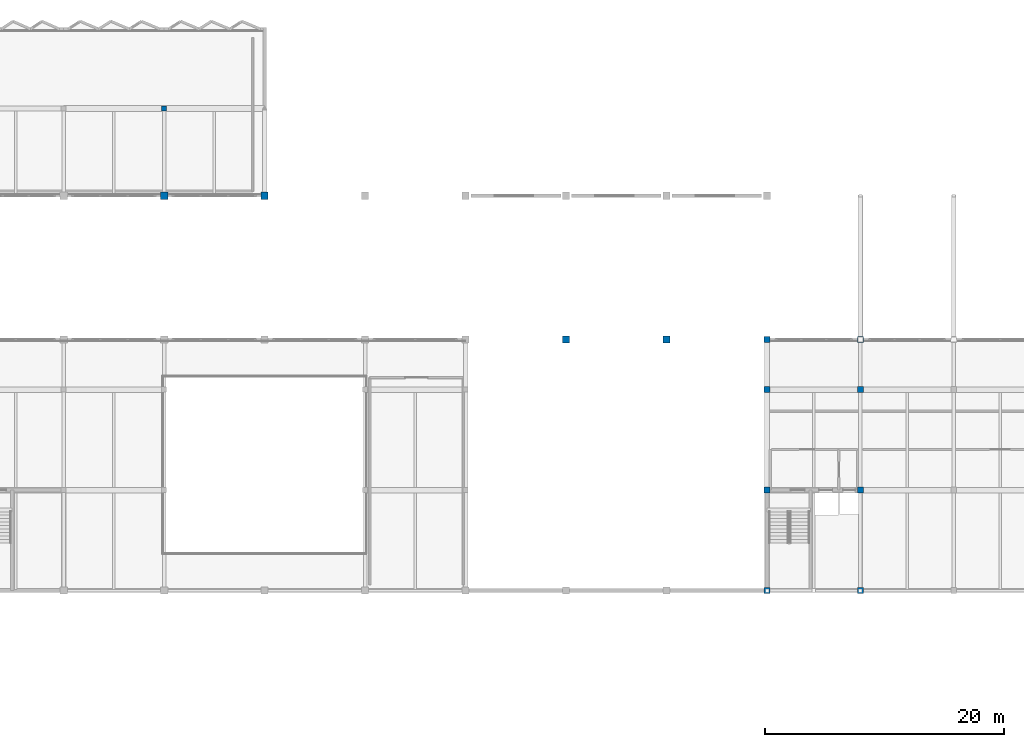
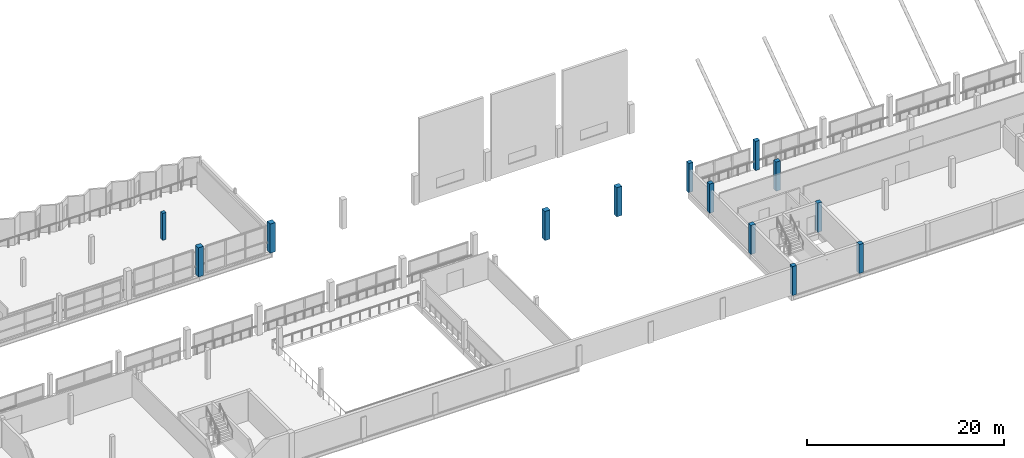
# One storey, part 2 of 51: 13 columns.
"""IFC4 building model written with IfcOpenShell, lengths in metres."""

from ifc_helpers import new_model, si_unit, direction, frame, origin, origin_2d, place, context, subcontext, project, spatial, rectangle, extrude, material, material_profile, profile_set, type_object, element, save


model = new_model("IFC4")

# Units and contexts
model_context = context("Model", 3, precision=1e-05, world=origin(), true_north=direction((0.0, 1.0)))
body_context = subcontext(model_context, "Body", "Model", "MODEL_VIEW")
ifc_project = project(units=[si_unit("LENGTHUNIT", "METRE"), si_unit("AREAUNIT", "SQUARE_METRE"), si_unit("VOLUMEUNIT", "CUBIC_METRE"), si_unit("PLANEANGLEUNIT", "RADIAN"), si_unit("MASSUNIT", "GRAM", prefix="KILO")], contexts=[model_context])

# Site, building, storey
site_placement = place(None, origin())
site = spatial("IfcSite", under=ifc_project, at=site_placement, CompositionType="ELEMENT")
building_placement = place(site_placement, origin())
building = spatial("IfcBuilding", under=site, at=building_placement, Name="Vharandega Faculty of Natural Sciences", CompositionType="ELEMENT")
storey_placement = place(building_placement, frame((0.0, 0.0, 14.39990234375)))
storey = spatial("IfcBuildingStorey", under=building, at=storey_placement, Name="L03", CompositionType="ELEMENT", Elevation=14.39990234375)

# Columns
ifc_material_1 = material(Name="Glulam GL32h", Category="wood")
ifc_material_profile_1 = material_profile(ifc_material_1, rectangle(XDim=0.419921875, YDim=0.419921875, at=origin_2d()), Name="GL32h 420x420")
ifc_profile_set_1 = profile_set([ifc_material_profile_1], Name="Glulam GL32h")
column_type_1 = type_object("IfcColumnType", Name="Glulam Column 420x420", PredefinedType="COLUMN", material=ifc_profile_set_1)
column_placement = place(storey_placement, frame((64.39990234375, 104.300048828125, 0.0), z_axis=(0.0, 0.0, 1.0), x_axis=(1.0, 0.0, 0.0)))
element("IfcColumn", 1, at=column_placement, inside=storey, type_object=column_type_1, Name="Column 9/P L03", PredefinedType="COLUMN", context=body_context, shape_type="SweptSolid", body=[
    extrude(rectangle(XDim=0.419921875, YDim=0.419921875, at=origin_2d()), origin(), (0.0, 0.0, 1.0), 3.340087890625),
])
ifc_material_2 = material(Name="Glulam GL32h", Category="wood")
ifc_material_profile_2 = material_profile(ifc_material_2, rectangle(XDim=0.5, YDim=0.5, at=origin_2d()), Name="GL32h 500x500")
ifc_profile_set_2 = profile_set([ifc_material_profile_2], Name="Glulam GL32h")
column_type_2 = type_object("IfcColumnType", Name="Glulam Column 500x500", PredefinedType="COLUMN", material=ifc_profile_set_2)
for number, where, z_axis, x_axis, name in (
    (2, (114.800048828125, 64.0, 0.0), (0.0, 0.0, 1.0), (1.0, 0.0, 0.0), "Column 15/J L03"),
    (3, (114.800048828125, 72.39990234375, 0.0), (0.0, 0.0, 1.0), (1.0, 0.0, 0.0), "Column 15/K L03"),
    (4, (114.800048828125, 80.800048828125, 0.0), (0.0, 0.0, 1.0), (1.0, 0.0, 0.0), "Column 15/L L03"),
    (5, (114.800048828125, 85.0, 0.0), (0.0, 0.0, 1.0), (1.0, 0.0, 0.0), "Column 15/M L03"),
    (6, (122.60009765625, 64.0, 0.0), (0.0, 0.0, 1.0), (1.0, 0.0, 0.0), "Column 16/J L03"),
    (7, (122.60009765625, 72.39990234375, 0.0), (0.0, 0.0, 1.0), (1.0, 0.0, 0.0), "Column 16/K L03"),
    (8, (122.60009765625, 80.800048828125, 0.0), (0.0, 0.0, 1.0), (1.0, 0.0, 0.0), "Column 16/L L03"),
    (9, (122.60009765625, 85.0, 0.0), (0.0, 0.0, 1.0), (1.0, 0.0, 0.0), "Column 16/M L03"),
):
    element("IfcColumn", number, at=place(storey_placement, frame(where, z_axis=z_axis, x_axis=x_axis)), inside=storey, type_object=column_type_2, Name=name, PredefinedType="COLUMN", context=body_context, shape_type="SweptSolid", body=[
        extrude(rectangle(XDim=0.5, YDim=0.5, at=origin_2d()), origin(), (0.0, 0.0, 1.0), 3.60009765625),
    ])
ifc_material_3 = material(Name="Concrete C40/50", Category="concrete")
ifc_material_profile_3 = material_profile(ifc_material_3, rectangle(XDim=0.60009765625, YDim=0.60009765625, at=origin_2d()), Name="RC 600x600")
ifc_profile_set_3 = profile_set([ifc_material_profile_3], Name="Concrete C40/50")
column_type_3 = type_object("IfcColumnType", Name="RC Column 600x600", PredefinedType="COLUMN", material=ifc_profile_set_3)
for number, where, z_axis, x_axis, name in (
    (10, (72.800048828125, 97.0, 0.0), (0.0, 0.0, 1.0), (1.0, 0.0, 0.0), "Column 10/N L03"),
    (11, (98.0, 85.0, 0.0), (0.0, 0.0, 1.0), (1.0, 0.0, 0.0), "Column 13/M L03"),
    (12, (106.39990234375, 85.0, 0.0), (0.0, 0.0, 1.0), (1.0, 0.0, 0.0), "Column 14/M L03"),
    (13, (64.39990234375, 97.0, 0.0), (0.0, 0.0, 1.0), (1.0, 0.0, 0.0), "Column 9/N L03"),
):
    element("IfcColumn", number, at=place(storey_placement, frame(where, z_axis=z_axis, x_axis=x_axis)), inside=storey, type_object=column_type_3, Name=name, PredefinedType="COLUMN", context=body_context, shape_type="SweptSolid", body=[
        extrude(rectangle(XDim=0.60009765625, YDim=0.60009765625, at=origin_2d()), origin(), (0.0, 0.0, 1.0), 3.60009765625),
    ])

save(model, "model.ifc")
